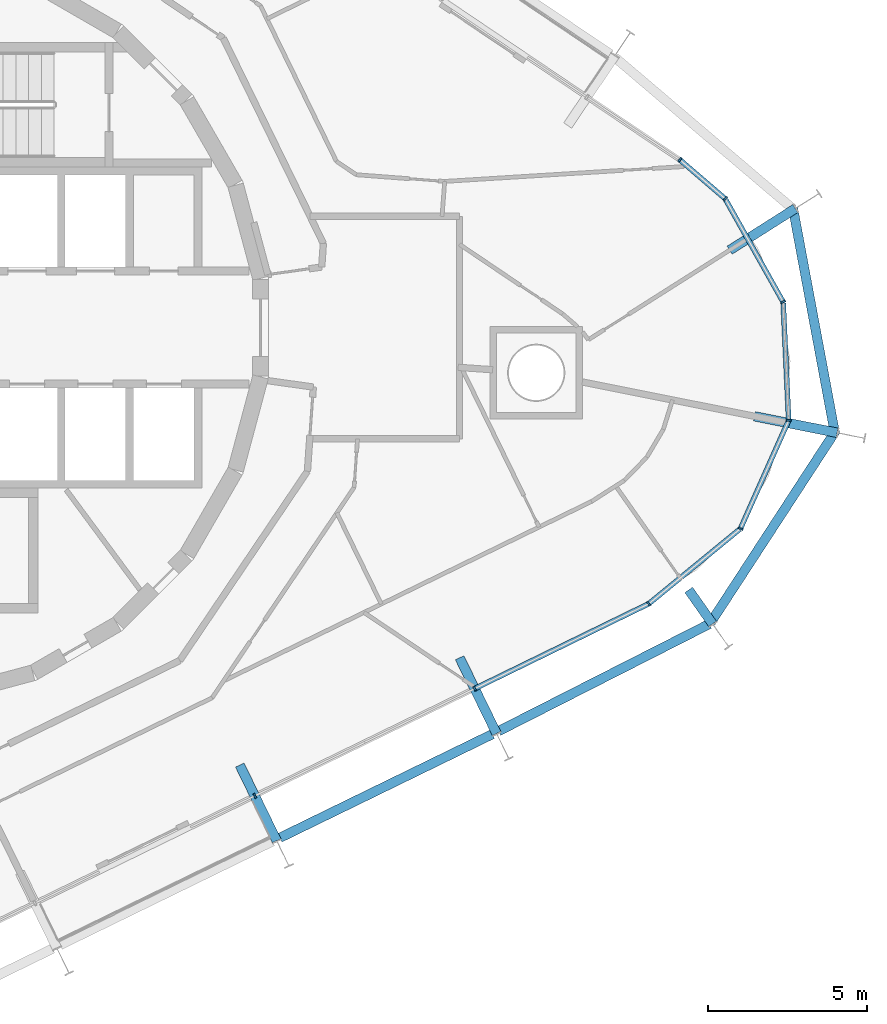
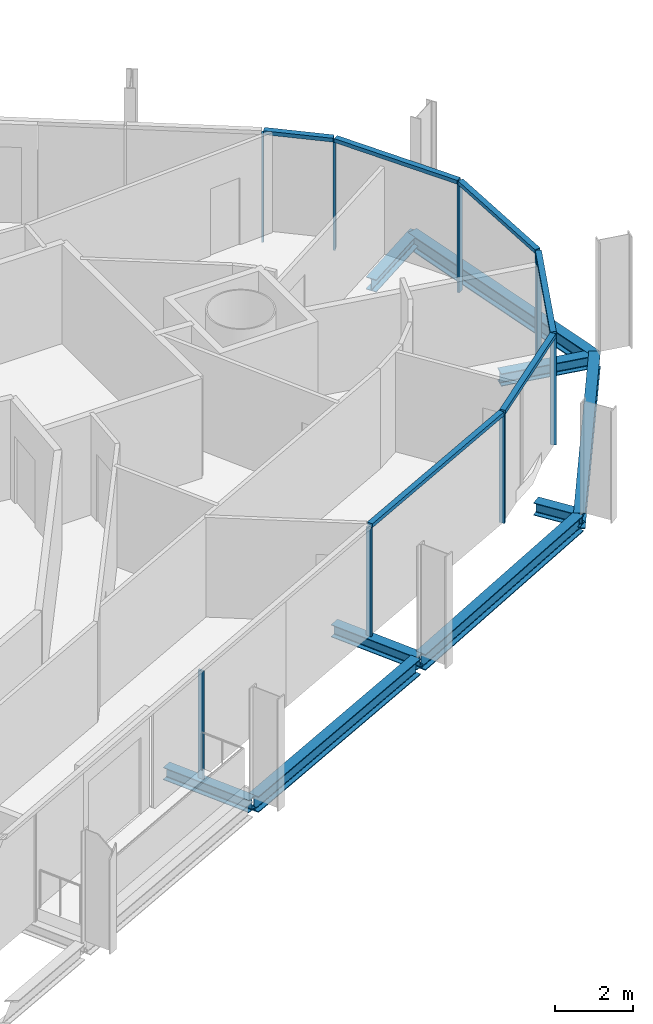
# One storey, part 5 of 18: 14 members, 9 beams, 2 elements without a shape of their own.
"""IFC4 building model written with IfcOpenShell, lengths in metres."""

from ifc_helpers import new_model, si_unit, direction, frame, origin, origin_2d, place, context, subcontext, project, spatial, rectangle, i_section, extrude, material, layer, layer_set, material_profile, profile_set, type_object, element, aggregate, save


model = new_model("IFC4")

# Units and contexts
model_context = context("Model", 3, precision=1e-05, world=origin(), true_north=direction((0.0, 1.0)))
body_context = subcontext(model_context, "Body", "Model", "MODEL_VIEW")
ifc_project = project(units=[si_unit("LENGTHUNIT", "METRE"), si_unit("AREAUNIT", "SQUARE_METRE"), si_unit("VOLUMEUNIT", "CUBIC_METRE"), si_unit("PLANEANGLEUNIT", "RADIAN"), si_unit("MASSUNIT", "GRAM", prefix="KILO")], contexts=[model_context])

# Site, building, storey
site_placement = place(None, origin())
site = spatial("IfcSite", under=ifc_project, at=site_placement, CompositionType="ELEMENT")
building_placement = place(site_placement, origin())
building = spatial("IfcBuilding", under=site, at=building_placement, Name="Spindle Arch Residences", CompositionType="ELEMENT")
storey_placement = place(building_placement, frame((0.0, 0.0, 198.89990234375)))
storey = spatial("IfcBuildingStorey", under=building, at=storey_placement, Name="L50", CompositionType="ELEMENT", Elevation=198.89990234375)

# Curtain wall, members
ifc_material_1 = material(Name="Aluminium bronze unitised frame with tinted glass", Category="aluminium")
ifc_layer_1 = layer(ifc_material_1, 0.159912109375)
ifc_layer_set_1 = layer_set([ifc_layer_1], Name="CW-D corner wall on the fillet arcs")
curtain_wall_type_1 = type_object("IfcCurtainWallType", Name="CW-D corner wall on the fillet arcs", PredefinedType="NOTDEFINED", material=ifc_layer_set_1)
curtain_wall_1_placement = place(storey_placement, origin())
curtain_wall_1 = element("IfcCurtainWall", 1, at=curtain_wall_1_placement, inside=storey, type_object=curtain_wall_type_1, Name="CW-D L50 run 1", PredefinedType="NOTDEFINED")
ifc_material_2 = material(Name="Aluminium bronze anodised mullion", Category="aluminium")
ifc_material_profile_1 = material_profile(ifc_material_2, rectangle(XDim=0.159912109375, YDim=0.06005859375, at=origin_2d()), Name="MU 60x160")
ifc_profile_set_1 = profile_set([ifc_material_profile_1], Name="Aluminium bronze anodised mullion")
member_type_1 = type_object("IfcMemberType", Name="Bronze mullion 60x160", PredefinedType="MULLION", material=ifc_profile_set_1)
member_1_placement = place(storey_placement, frame((18.377685546875, -11.353515625, -0.3798828125), z_axis=(0.0, 0.0, 1.0), x_axis=(-0.438371146789, 0.898794046299, 0.0)))
member_1 = element("IfcMember", 2, at=member_1_placement, type_object=member_type_1, Name="CW-D mullion 00", PredefinedType="MULLION", context=body_context, shape_type="SweptSolid", body=[
    extrude(rectangle(XDim=0.159912109375, YDim=0.06005859375, at=origin_2d()), origin(), (0.0, 0.0, 1.0), 3.3798828125),
])
member_2_placement = place(storey_placement, frame((23.85400390625, -8.6826171875, -0.3798828125), z_axis=(0.0, 0.0, 1.0), x_axis=(-0.633830963722, 0.773471595747, 0.0)))
member_2 = element("IfcMember", 3, at=member_2_placement, type_object=member_type_1, Name="CW-D mullion 01", PredefinedType="MULLION", context=body_context, shape_type="SweptSolid", body=[
    extrude(rectangle(XDim=0.159912109375, YDim=0.06005859375, at=origin_2d()), origin(), (0.0, 0.0, 1.0), 3.3798828125),
])
member_3_placement = place(storey_placement, frame((26.736572265625, -6.320556640625, -0.3798828125), z_axis=(0.0, 0.0, 1.0), x_axis=(-0.913545457934, 0.406736642422, 0.0)))
member_3 = element("IfcMember", 4, at=member_3_placement, type_object=member_type_1, Name="CW-D mullion 02", PredefinedType="MULLION", context=body_context, shape_type="SweptSolid", body=[
    extrude(rectangle(XDim=0.159912109375, YDim=0.06005859375, at=origin_2d()), origin(), (0.0, 0.0, 1.0), 3.3798828125),
])
member_4_placement = place(storey_placement, frame((28.252197265625, -2.916015625, -0.3798828125), z_axis=(0.0, 0.0, 1.0), x_axis=(-0.99891711126, -0.046525313877, 0.0)))
member_4 = element("IfcMember", 5, at=member_4_placement, type_object=member_type_1, Name="CW-D mullion 03", PredefinedType="MULLION", context=body_context, shape_type="SweptSolid", body=[
    extrude(rectangle(XDim=0.159912109375, YDim=0.06005859375, at=origin_2d()), origin(), (0.0, 0.0, 1.0), 3.3798828125),
])
member_5_placement = place(storey_placement, frame((28.078857421875, 0.806884765625, -0.3798828125), z_axis=(0.0, 0.0, 1.0), x_axis=(-0.871784414743, -0.489889716377, 0.0)))
member_5 = element("IfcMember", 6, at=member_5_placement, type_object=member_type_1, Name="CW-D mullion 04", PredefinedType="MULLION", context=body_context, shape_type="SweptSolid", body=[
    extrude(rectangle(XDim=0.159912109375, YDim=0.06005859375, at=origin_2d()), origin(), (0.0, 0.0, 1.0), 3.3798828125),
])
member_6_placement = place(storey_placement, frame((26.253173828125, 4.0556640625, -0.3798828125), z_axis=(0.0, 0.0, 1.0), x_axis=(-0.651657229382, -0.758513582867, 0.0)))
member_6 = element("IfcMember", 7, at=member_6_placement, type_object=member_type_1, Name="CW-D mullion 05", PredefinedType="MULLION", context=body_context, shape_type="SweptSolid", body=[
    extrude(rectangle(XDim=0.159912109375, YDim=0.06005859375, at=origin_2d()), origin(), (0.0, 0.0, 1.0), 3.3798828125),
])
member_7_placement = place(storey_placement, frame((24.830078125, 5.2783203125, -0.3798828125), z_axis=(0.0, 0.0, 1.0), x_axis=(-0.559192903471, -0.829037572555, 0.0)))
member_7 = element("IfcMember", 8, at=member_7_placement, type_object=member_type_1, Name="CW-D mullion 06", PredefinedType="MULLION", context=body_context, shape_type="SweptSolid", body=[
    extrude(rectangle(XDim=0.159912109375, YDim=0.06005859375, at=origin_2d()), origin(), (0.0, 0.0, 1.0), 3.3798828125),
])

# Curtain wall, member
ifc_material_3 = material(Name="Aluminium bronze unitised frame with tinted glass", Category="aluminium")
ifc_layer_2 = layer(ifc_material_3, 0.159912109375)
ifc_layer_set_2 = layer_set([ifc_layer_2], Name="CW-C typical residential unitised wall")
curtain_wall_type_2 = type_object("IfcCurtainWallType", Name="CW-C typical residential unitised wall", PredefinedType="NOTDEFINED", material=ifc_layer_set_2)
curtain_wall_2_placement = place(storey_placement, origin())
curtain_wall_2 = element("IfcCurtainWall", 9, at=curtain_wall_2_placement, inside=storey, type_object=curtain_wall_type_2, Name="CW-C L50 run 6", PredefinedType="NOTDEFINED")
member_8_placement = place(storey_placement, frame((11.46240234375, -14.726318359375, -0.3798828125), z_axis=(0.0, 0.0, 1.0), x_axis=(-0.438371146789, 0.898794046299, 0.0)))
member_8 = element("IfcMember", 10, at=member_8_placement, type_object=member_type_1, Name="CW-C mullion 00", PredefinedType="MULLION", context=body_context, shape_type="SweptSolid", body=[
    extrude(rectangle(XDim=0.159912109375, YDim=0.06005859375, at=origin_2d()), origin(), (0.0, 0.0, 1.0), 3.3798828125),
])
aggregate(curtain_wall_2, [member_8])

# Member
ifc_material_4 = material(Name="Aluminium bronze anodised transom", Category="aluminium")
ifc_material_profile_2 = material_profile(ifc_material_4, rectangle(XDim=0.159912109375, YDim=0.1201171875, at=origin_2d()), Name="TR 120x160")
ifc_profile_set_2 = profile_set([ifc_material_profile_2], Name="Aluminium bronze anodised transom")
member_type_2 = type_object("IfcMemberType", Name="Bronze transom 120x160", PredefinedType="USERDEFINED", material=ifc_profile_set_2)
member_9_placement = place(storey_placement, frame((18.404541015625, -11.340576171875, 3.06005859375), z_axis=(0.898786724344, 0.438386158704, 0.0), x_axis=(-0.438386158704, 0.898786724344, 0.0)))
member_9 = element("IfcMember", 11, at=member_9_placement, type_object=member_type_2, Name="CW-D transom 00", ObjectType="TRANSOM", PredefinedType="USERDEFINED", context=body_context, shape_type="SweptSolid", body=[
    extrude(rectangle(XDim=0.159912109375, YDim=0.1201171875, at=origin_2d()), origin(), (0.0, 0.0, 1.0), 6.032958984375),
])

member_10_placement = place(storey_placement, frame((23.877197265625, -8.66357421875, 3.06005859375), z_axis=(0.773494307947, 0.633803246737, 0.0), x_axis=(-0.633803246737, 0.773494307947, 0.0)))
member_10 = element("IfcMember", 12, at=member_10_placement, type_object=member_type_2, Name="CW-D transom 01", ObjectType="TRANSOM", PredefinedType="USERDEFINED", context=body_context, shape_type="SweptSolid", body=[
    extrude(rectangle(XDim=0.159912109375, YDim=0.1201171875, at=origin_2d()), origin(), (0.0, 0.0, 1.0), 3.666748046875),
])

member_11_placement = place(storey_placement, frame((26.748779296875, -6.29296875, 3.06005859375), z_axis=(0.406706770356, 0.913558757249, 0.0), x_axis=(-0.913558757249, 0.406706770356, 0.0)))
member_11 = element("IfcMember", 13, at=member_11_placement, type_object=member_type_2, Name="CW-D transom 02", ObjectType="TRANSOM", PredefinedType="USERDEFINED", context=body_context, shape_type="SweptSolid", body=[
    extrude(rectangle(XDim=0.159912109375, YDim=0.1201171875, at=origin_2d()), origin(), (0.0, 0.0, 1.0), 3.66650390625),
])

member_12_placement = place(storey_placement, frame((28.2509765625, -2.885986328125, 3.06005859375), z_axis=(-0.046540197037, 0.998916417955, 0.0), x_axis=(-0.998916417955, -0.046540197037, 0.0)))
member_12 = element("IfcMember", 14, at=member_12_placement, type_object=member_type_2, Name="CW-D transom 03", ObjectType="TRANSOM", PredefinedType="USERDEFINED", context=body_context, shape_type="SweptSolid", body=[
    extrude(rectangle(XDim=0.159912109375, YDim=0.1201171875, at=origin_2d()), origin(), (0.0, 0.0, 1.0), 3.666748046875),
])

member_13_placement = place(storey_placement, frame((28.064208984375, 0.8330078125, 3.06005859375), z_axis=(-0.489916630118, 0.871769290314, 0.0), x_axis=(-0.871769290314, -0.489916630118, 0.0)))
member_13 = element("IfcMember", 15, at=member_13_placement, type_object=member_type_2, Name="CW-D transom 04", ObjectType="TRANSOM", PredefinedType="USERDEFINED", context=body_context, shape_type="SweptSolid", body=[
    extrude(rectangle(XDim=0.159912109375, YDim=0.1201171875, at=origin_2d()), origin(), (0.0, 0.0, 1.0), 3.666748046875),
])

member_14_placement = place(storey_placement, frame((26.23046875, 4.0751953125, 3.06005859375), z_axis=(-0.758458936913, 0.651720830584, 0.0), x_axis=(-0.651720830584, -0.758458936913, 0.0)))
member_14 = element("IfcMember", 16, at=member_14_placement, type_object=member_type_2, Name="CW-D transom 05", ObjectType="TRANSOM", PredefinedType="USERDEFINED", context=body_context, shape_type="SweptSolid", body=[
    extrude(rectangle(XDim=0.159912109375, YDim=0.1201171875, at=origin_2d()), origin(), (0.0, 0.0, 1.0), 1.816162109375),
])

aggregate(curtain_wall_1, [member_1, member_9, member_2, member_10, member_3, member_11, member_4, member_12, member_5, member_13, member_6, member_14, member_7])

# Beams
ifc_material_5 = material(Name="Steel S460ML, intumescent coating R 120", Category="steel")
ifc_material_profile_3 = material_profile(ifc_material_5, i_section(OverallWidth=0.300048828125, OverallDepth=0.5, WebThickness=0.014404296875, FlangeThickness=0.028076171875, FilletRadius=0.027099609375, at=origin_2d()), Name="HEB 500")
ifc_profile_set_3 = profile_set([ifc_material_profile_3], Name="Steel S460ML, intumescent coating R 120")
beam_type_1 = type_object("IfcBeamType", Name="Exoskeleton edge beam HEB 500", PredefinedType="BEAM", material=ifc_profile_set_3)
beam_1_placement = place(storey_placement, frame((12.25, -16.04443359375, -0.6298828125), z_axis=(0.898804110297, 0.438350511935, 0.0), x_axis=(-0.438350511935, 0.898804110297, 0.0)))
element("IfcBeam", 17, at=beam_1_placement, inside=storey, type_object=beam_type_1, Name="Exoskeleton edge beam 1", PredefinedType="BEAM", context=body_context, shape_type="SweptSolid", body=[
    extrude(i_section(OverallWidth=0.300048828125, OverallDepth=0.5, WebThickness=0.014404296875, FlangeThickness=0.028076171875, FilletRadius=0.027099609375, at=origin_2d()), origin(), (0.0, 0.0, 1.0), 7.43359375),
])
beam_2_placement = place(storey_placement, frame((19.1298828125, -12.688232421875, -0.6298828125), z_axis=(0.891456240157, 0.453106799646, 0.0), x_axis=(-0.453106799646, 0.891456240157, 0.0)))
element("IfcBeam", 18, at=beam_2_placement, inside=storey, type_object=beam_type_1, Name="Exoskeleton edge beam 2", PredefinedType="BEAM", context=body_context, shape_type="SweptSolid", body=[
    extrude(i_section(OverallWidth=0.300048828125, OverallDepth=0.5, WebThickness=0.014404296875, FlangeThickness=0.028076171875, FilletRadius=0.027099609375, at=origin_2d()), origin(), (0.0, 0.0, 1.0), 7.427978515625),
])
beam_3_placement = place(storey_placement, frame((25.777099609375, -9.30908203125, -0.6298828125), z_axis=(0.546059217501, 0.837746579212, 0.0), x_axis=(-0.837746579212, 0.546059217501, 0.0)))
element("IfcBeam", 19, at=beam_3_placement, inside=storey, type_object=beam_type_1, Name="Exoskeleton edge beam 3", PredefinedType="BEAM", context=body_context, shape_type="SweptSolid", body=[
    extrude(i_section(OverallWidth=0.300048828125, OverallDepth=0.5, WebThickness=0.014404296875, FlangeThickness=0.028076171875, FilletRadius=0.027099609375, at=origin_2d()), origin(), (0.0, 0.0, 1.0), 7.249267578125),
])
beam_4_placement = place(storey_placement, frame((29.71142578125, -3.356689453125, -0.6298828125), z_axis=(-0.183047966733, 0.983103983246, 0.0), x_axis=(-0.983103983246, -0.183047966733, 0.0)))
element("IfcBeam", 20, at=beam_4_placement, inside=storey, type_object=beam_type_1, Name="Exoskeleton edge beam 4", PredefinedType="BEAM", context=body_context, shape_type="SweptSolid", body=[
    extrude(i_section(OverallWidth=0.300048828125, OverallDepth=0.5, WebThickness=0.014404296875, FlangeThickness=0.028076171875, FilletRadius=0.027099609375, at=origin_2d()), origin(), (0.0, 0.0, 1.0), 7.2490234375),
])
ifc_material_6 = material(Name="Steel S460ML, intumescent coating R 120", Category="steel")
ifc_material_profile_4 = material_profile(ifc_material_6, i_section(OverallWidth=0.300048828125, OverallDepth=0.389892578125, WebThickness=0.010986328125, FlangeThickness=0.01904296875, FilletRadius=0.027099609375, at=origin_2d()), Name="HEA 400")
ifc_profile_set_4 = profile_set([ifc_material_profile_4], Name="Steel S460ML, intumescent coating R 120")
beam_type_2 = type_object("IfcBeamType", Name="Floor outrigger HEA 400", PredefinedType="BEAM", material=ifc_profile_set_4)
beam_5_placement = place(storey_placement, frame((12.150634765625, -16.137451171875, -0.574951171875), z_axis=(-0.438347395329, 0.898805630272, 0.0), x_axis=(-0.898805630272, -0.438347395329, 0.0)))
element("IfcBeam", 21, at=beam_5_placement, inside=storey, type_object=beam_type_2, Name="Floor outrigger 1", PredefinedType="BEAM", context=body_context, shape_type="SweptSolid", body=[
    extrude(i_section(OverallWidth=0.300048828125, OverallDepth=0.389892578125, WebThickness=0.010986328125, FlangeThickness=0.01904296875, FilletRadius=0.027099609375, at=origin_2d()), origin(), (0.0, 0.0, 1.0), 2.64990234375),
])
beam_6_placement = place(storey_placement, frame((19.06591796875, -12.7646484375, -0.574951171875), z_axis=(-0.438421816972, 0.898769331032, 0.0), x_axis=(-0.898769331032, -0.438421816972, 0.0)))
element("IfcBeam", 22, at=beam_6_placement, inside=storey, type_object=beam_type_2, Name="Floor outrigger 2", PredefinedType="BEAM", context=body_context, shape_type="SweptSolid", body=[
    extrude(i_section(OverallWidth=0.300048828125, OverallDepth=0.389892578125, WebThickness=0.010986328125, FlangeThickness=0.01904296875, FilletRadius=0.027099609375, at=origin_2d()), origin(), (0.0, 0.0, 1.0), 2.650146484375),
])
beam_7_placement = place(storey_placement, frame((25.858154296875, -9.3173828125, -0.574951171875), z_axis=(-0.574827287121, 0.818274764356, 0.0), x_axis=(-0.818274764356, -0.574827287121, 0.0)))
element("IfcBeam", 23, at=beam_7_placement, inside=storey, type_object=beam_type_2, Name="Floor outrigger 3", PredefinedType="BEAM", context=body_context, shape_type="SweptSolid", body=[
    extrude(i_section(OverallWidth=0.300048828125, OverallDepth=0.389892578125, WebThickness=0.010986328125, FlangeThickness=0.01904296875, FilletRadius=0.027099609375, at=origin_2d()), origin(), (0.0, 0.0, 1.0), 1.3076171875),
])
beam_8_placement = place(storey_placement, frame((29.775634765625, -3.306884765625, -0.574951171875), z_axis=(-0.980704498332, 0.195496002392, 0.0), x_axis=(-0.195496002392, -0.980704498332, 0.0)))
element("IfcBeam", 24, at=beam_8_placement, inside=storey, type_object=beam_type_2, Name="Floor outrigger 4", PredefinedType="BEAM", context=body_context, shape_type="SweptSolid", body=[
    extrude(i_section(OverallWidth=0.300048828125, OverallDepth=0.389892578125, WebThickness=0.010986328125, FlangeThickness=0.01904296875, FilletRadius=0.027099609375, at=origin_2d()), origin(), (0.0, 0.0, 1.0), 2.64990234375),
])
beam_9_placement = place(storey_placement, frame((28.46240234375, 3.746337890625, -0.574951171875), z_axis=(-0.844575652312, -0.535436240388, 0.0), x_axis=(0.535436240388, -0.844575652312, 0.0)))
element("IfcBeam", 25, at=beam_9_placement, inside=storey, type_object=beam_type_2, Name="Floor outrigger 5", PredefinedType="BEAM", context=body_context, shape_type="SweptSolid", body=[
    extrude(i_section(OverallWidth=0.300048828125, OverallDepth=0.389892578125, WebThickness=0.010986328125, FlangeThickness=0.01904296875, FilletRadius=0.027099609375, at=origin_2d()), origin(), (0.0, 0.0, 1.0), 2.448974609375),
])

save(model, "model.ifc")
